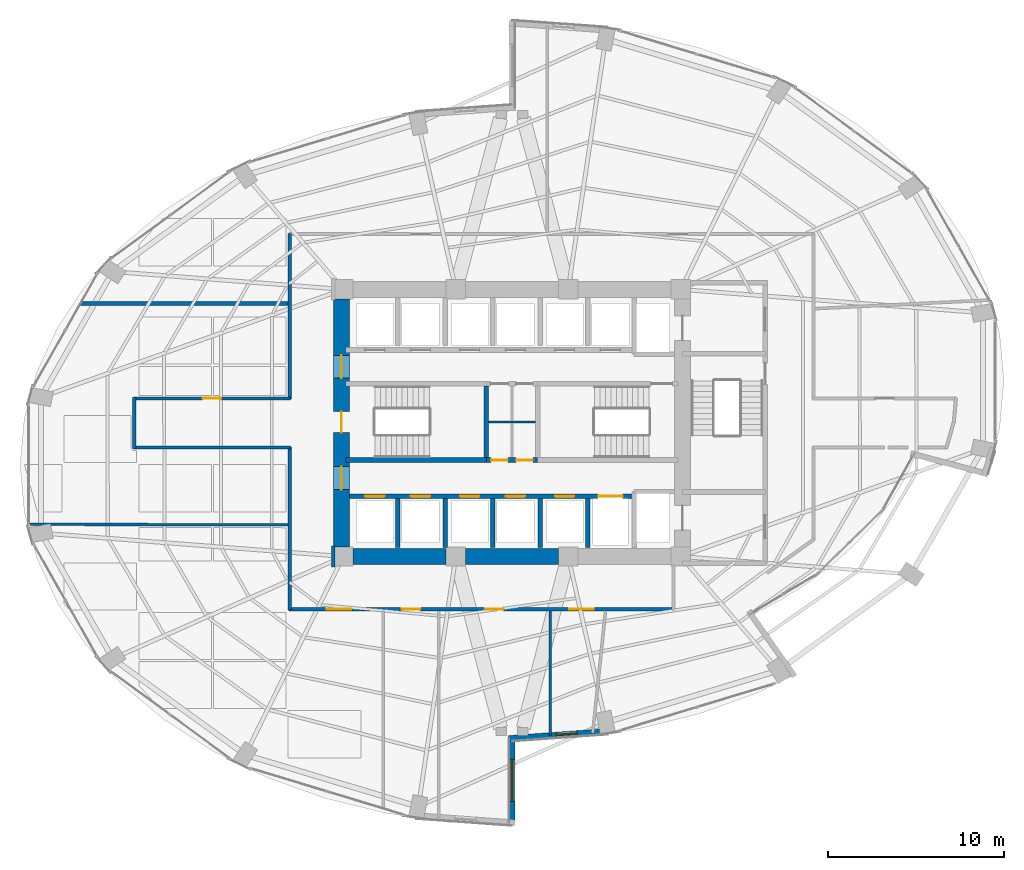
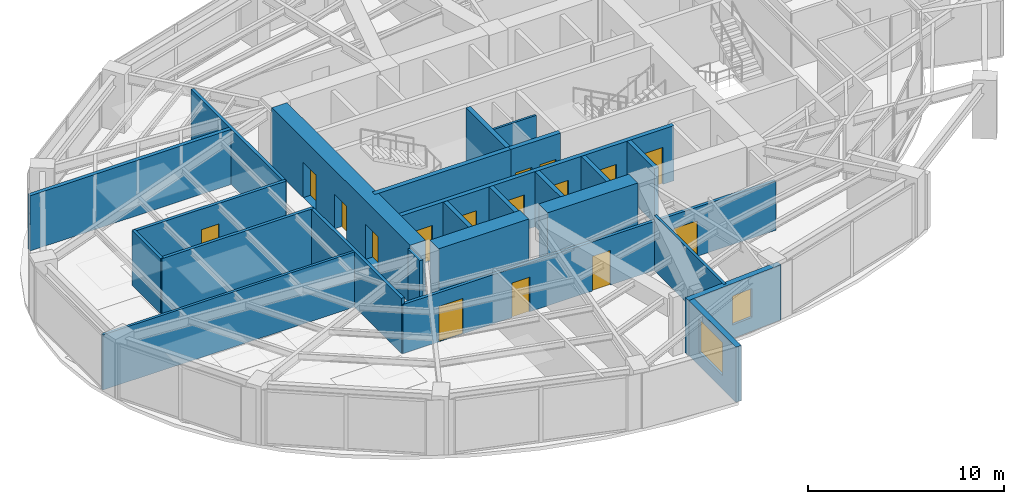
# One storey, part 20 of 24: 25 walls, 16 doors, 2 windows, 18 openings.
"""IFC4 building model written with IfcOpenShell, lengths in metres."""

from ifc_helpers import new_model, si_unit, direction, frame, frame_2d, origin, place, context, subcontext, project, spatial, rectangle, extrude, material, layer, layer_set, type_object, element, fill, save


model = new_model("IFC4")

# Units and contexts
model_context = context("Model", 3, precision=1e-05, world=origin(), true_north=direction((0.0, 1.0)))
body_context = subcontext(model_context, "Body", "Model", "MODEL_VIEW")
ifc_project = project(units=[si_unit("LENGTHUNIT", "METRE"), si_unit("AREAUNIT", "SQUARE_METRE"), si_unit("VOLUMEUNIT", "CUBIC_METRE"), si_unit("PLANEANGLEUNIT", "RADIAN"), si_unit("MASSUNIT", "GRAM", prefix="KILO")], contexts=[model_context])

# Site, building, storey
site_placement = place(None, origin())
site = spatial("IfcSite", under=ifc_project, at=site_placement, CompositionType="ELEMENT")
building_placement = place(site_placement, origin())
building = spatial("IfcBuilding", under=site, at=building_placement, Name="Lazwardi Medical Tower", CompositionType="ELEMENT")
storey_placement = place(building_placement, frame((0.0, 0.0, 65.327880859375)))
storey = spatial("IfcBuildingStorey", under=building, at=storey_placement, Name="L16", CompositionType="ELEMENT", Elevation=65.327880859375)

# Wall
ifc_material_1 = material(Name="Fire-rated gypsum board on steel stud", Category="steel")
ifc_layer_1 = layer(ifc_material_1, 0.179931640625)
ifc_layer_set_1 = layer_set([ifc_layer_1], Name="Fire-rated gypsum board on steel stud")
wall_type_1 = type_object("IfcWallType", Name="WL-COR-180", PredefinedType="PARTITIONING", material=ifc_layer_set_1)
wall_1_placement = place(storey_placement, frame((14.5, 26.56005859375, 0.0), z_axis=(0.0, 0.0, 1.0), x_axis=(0.0, 1.0, 0.0)))
element("IfcWall", 1, at=wall_1_placement, inside=storey, type_object=wall_type_1, Name="L16 Corridor partition 1", PredefinedType="PARTITIONING", context=body_context, shape_type="SweptSolid", body=[
    extrude(rectangle(XDim=2.8798828125, YDim=0.179931640625, at=frame_2d((1.43994140625, 0.0))), origin(), (0.0, 0.0, 1.0), 3.42822265625),
])

# Wall, opening, door
wall_2_placement = place(storey_placement, frame((14.4599609375, 29.39990234375, 0.0), z_axis=(0.0, 0.0, 1.0), x_axis=(1.0, 0.0, 0.0)))
wall_2 = element("IfcWall", 2, at=wall_2_placement, inside=storey, type_object=wall_type_1, Name="L16 Corridor partition 2", PredefinedType="PARTITIONING", context=body_context, shape_type="SweptSolid", body=[
    extrude(rectangle(XDim=8.929931640625, YDim=0.179931640625, at=frame_2d((4.46484375, 0.0))), origin(), (0.0, 0.0, 1.0), 3.42822265625),
])
opening_1_placement = place(wall_2_placement, frame((3.93994140625, 0.0, 0.0)))
opening_1 = element("IfcOpeningElement", 3, at=opening_1_placement, cuts=wall_2, Name="Opening D-L16-016", PredefinedType="OPENING", context=body_context, shape_type="SweptSolid", body=[
    extrude(rectangle(XDim=1.050048828125, YDim=2.14990234375, at=frame_2d((0.52490234375, 1.074951171875))), frame((0.0, 0.099853515625, 0.0), z_axis=(0.0, -1.0, 0.0), x_axis=(1.0, 0.0, 0.0)), (0.0, 0.0, 1.0), 0.199951171875),
])
ifc_material_2 = material(Name="Anti-microbial laminate hospital leaf")
door_type_1 = type_object("IfcDoorType", Name="DR-CLN-1050", OperationType="NOTDEFINED", PredefinedType="DOOR", material=ifc_material_2)
door_1_placement = place(opening_1_placement, origin())
door_1 = element("IfcDoor", 4, at=door_1_placement, inside=storey, type_object=door_type_1, Name="L16 Clinical Specialist Office Door 08", OperationType="SINGLE_SWING_RIGHT", OverallHeight=2.14990234375, OverallWidth=1.050048828125, PredefinedType="DOOR", context=body_context, shape_type="SweptSolid", body=[
    extrude(rectangle(XDim=1.050048828125, YDim=2.14990234375, at=frame_2d((0.52490234375, 1.074951171875))), frame((0.0, 0.02490234375, 0.0), z_axis=(0.0, -1.0, 0.0), x_axis=(1.0, 0.0, 0.0)), (0.0, 0.0, 1.0), 0.050048828125),
])
fill(opening_1, door_1)

# Walls
wall_3_placement = place(storey_placement, frame((23.35009765625, 29.360107421875, 0.0), z_axis=(0.0, 0.0, 1.0), x_axis=(0.0, 1.0, 0.0)))
element("IfcWall", 5, at=wall_3_placement, inside=storey, type_object=wall_type_1, Name="L16 Corridor partition 3", PredefinedType="PARTITIONING", context=body_context, shape_type="SweptSolid", body=[
    extrude(rectangle(XDim=9.429931640625, YDim=0.179931640625, at=frame_2d((4.71484375, 0.0))), origin(), (0.0, 0.0, 1.0), 3.42822265625),
])
wall_4_placement = place(storey_placement, frame((25.830078125, 21.010009765625, 0.0), z_axis=(0.0, 0.0, 1.0), x_axis=(0.0, -1.0, 0.0)))
element("IfcWall", 6, at=wall_4_placement, inside=storey, type_object=wall_type_1, Name="L16 Corridor partition 15", PredefinedType="PARTITIONING", context=body_context, shape_type="SweptSolid", body=[
    extrude(rectangle(XDim=1.219970703125, YDim=0.179931640625, at=frame_2d((0.60986328125, 0.0))), origin(), (0.0, 0.0, 1.0), 3.42822265625),
])

# Wall, openings, doors
wall_5_placement = place(storey_placement, frame((45.239990234375, 17.39990234375, 0.0), z_axis=(0.0, 0.0, 1.0), x_axis=(-1.0, 0.0, 0.0)))
wall_5 = element("IfcWall", 7, at=wall_5_placement, inside=storey, type_object=wall_type_1, Name="L16 Corridor partition 17", PredefinedType="PARTITIONING", context=body_context, shape_type="SweptSolid", body=[
    extrude(rectangle(XDim=21.929931640625, YDim=0.179931640625, at=frame_2d((10.96484375, 0.0))), origin(), (0.0, 0.0, 1.0), 3.05322265625),
])
opening_2_placement = place(wall_5_placement, frame((18.39111328125, 0.0, 0.0)))
opening_2 = element("IfcOpeningElement", 8, at=opening_2_placement, cuts=wall_5, Name="Opening D-L16-009", PredefinedType="OPENING", context=body_context, shape_type="SweptSolid", body=[
    extrude(rectangle(XDim=1.39990234375, YDim=2.199951171875, at=frame_2d((0.699951171875, 1.10009765625))), frame((0.0, 0.099853515625, 0.0), z_axis=(0.0, -1.0, 0.0), x_axis=(1.0, 0.0, 0.0)), (0.0, 0.0, 1.0), 0.199951171875),
])
opening_3_placement = place(wall_5_placement, frame((14.465087890625, 0.0, 0.0)))
opening_3 = element("IfcOpeningElement", 9, at=opening_3_placement, cuts=wall_5, Name="Opening D-L16-010", PredefinedType="OPENING", context=body_context, shape_type="SweptSolid", body=[
    extrude(rectangle(XDim=1.050048828125, YDim=2.14990234375, at=frame_2d((0.52490234375, 1.074951171875))), frame((0.0, 0.099853515625, 0.0), z_axis=(0.0, -1.0, 0.0), x_axis=(1.0, 0.0, 0.0)), (0.0, 0.0, 1.0), 0.199951171875),
])
opening_4_placement = place(wall_5_placement, frame((9.715087890625, 0.0, 0.0)))
opening_4 = element("IfcOpeningElement", 10, at=opening_4_placement, cuts=wall_5, Name="Opening D-L16-011", PredefinedType="OPENING", context=body_context, shape_type="SweptSolid", body=[
    extrude(rectangle(XDim=1.050048828125, YDim=2.14990234375, at=frame_2d((0.52490234375, 1.074951171875))), frame((0.0, 0.099853515625, 0.0), z_axis=(0.0, -1.0, 0.0), x_axis=(1.0, 0.0, 0.0)), (0.0, 0.0, 1.0), 0.199951171875),
])
opening_5_placement = place(wall_5_placement, frame((4.594482421875, 0.0, 0.0)))
opening_5 = element("IfcOpeningElement", 11, at=opening_5_placement, cuts=wall_5, Name="Opening D-L16-012", PredefinedType="OPENING", context=body_context, shape_type="SweptSolid", body=[
    extrude(rectangle(XDim=1.39990234375, YDim=2.199951171875, at=frame_2d((0.699951171875, 1.10009765625))), frame((0.0, 0.099853515625, 0.0), z_axis=(0.0, -1.0, 0.0), x_axis=(1.0, 0.0, 0.0)), (0.0, 0.0, 1.0), 0.199951171875),
])
door_type_2 = type_object("IfcDoorType", Name="DR-BED-1400", OperationType="NOTDEFINED", PredefinedType="DOOR", material=ifc_material_2)
door_2_placement = place(opening_2_placement, origin())
door_2 = element("IfcDoor", 12, at=door_2_placement, inside=storey, type_object=door_type_2, Name="L16 Sky Garden Lounge Door 01", OperationType="SINGLE_SWING_LEFT", OverallHeight=2.199951171875, OverallWidth=1.39990234375, PredefinedType="DOOR", context=body_context, shape_type="SweptSolid", body=[
    extrude(rectangle(XDim=1.39990234375, YDim=2.199951171875, at=frame_2d((0.699951171875, 1.10009765625))), frame((0.0, 0.02490234375, 0.0), z_axis=(0.0, -1.0, 0.0), x_axis=(1.0, 0.0, 0.0)), (0.0, 0.0, 1.0), 0.050048828125),
])
fill(opening_2, door_2)
door_3_placement = place(opening_5_placement, origin())
door_3 = element("IfcDoor", 13, at=door_3_placement, inside=storey, type_object=door_type_2, Name="L16 Department Reception Foyer Door 04", OperationType="SINGLE_SWING_RIGHT", OverallHeight=2.199951171875, OverallWidth=1.39990234375, PredefinedType="DOOR", context=body_context, shape_type="SweptSolid", body=[
    extrude(rectangle(XDim=1.39990234375, YDim=2.199951171875, at=frame_2d((0.699951171875, 1.10009765625))), frame((0.0, 0.02490234375, 0.0), z_axis=(0.0, -1.0, 0.0), x_axis=(1.0, 0.0, 0.0)), (0.0, 0.0, 1.0), 0.050048828125),
])
fill(opening_5, door_3)
door_4_placement = place(opening_3_placement, origin())
door_4 = element("IfcDoor", 14, at=door_4_placement, inside=storey, type_object=door_type_1, Name="L16 Outpatient Consultation Suite Door 02", OperationType="SINGLE_SWING_RIGHT", OverallHeight=2.14990234375, OverallWidth=1.050048828125, PredefinedType="DOOR", context=body_context, shape_type="SweptSolid", body=[
    extrude(rectangle(XDim=1.050048828125, YDim=2.14990234375, at=frame_2d((0.52490234375, 1.074951171875))), frame((0.0, 0.02490234375, 0.0), z_axis=(0.0, -1.0, 0.0), x_axis=(1.0, 0.0, 0.0)), (0.0, 0.0, 1.0), 0.050048828125),
])
fill(opening_3, door_4)
door_5_placement = place(opening_4_placement, origin())
door_5 = element("IfcDoor", 15, at=door_5_placement, inside=storey, type_object=door_type_1, Name="L16 Medical Duty Staff Room Door 03", OperationType="SINGLE_SWING_LEFT", OverallHeight=2.14990234375, OverallWidth=1.050048828125, PredefinedType="DOOR", context=body_context, shape_type="SweptSolid", body=[
    extrude(rectangle(XDim=1.050048828125, YDim=2.14990234375, at=frame_2d((0.52490234375, 1.074951171875))), frame((0.0, 0.02490234375, 0.0), z_axis=(0.0, -1.0, 0.0), x_axis=(1.0, 0.0, 0.0)), (0.0, 0.0, 1.0), 0.050048828125),
])
fill(opening_4, door_5)

# Walls
wall_6_placement = place(storey_placement, frame((23.35009765625, 17.360107421875, 0.0), z_axis=(0.0, 0.0, 1.0), x_axis=(0.0, 1.0, 0.0)))
element("IfcWall", 16, at=wall_6_placement, inside=storey, type_object=wall_type_1, Name="L16 Corridor partition 18", PredefinedType="PARTITIONING", context=body_context, shape_type="SweptSolid", body=[
    extrude(rectangle(XDim=9.27978515625, YDim=0.179931640625, at=frame_2d((4.639892578125, 0.0))), origin(), (0.0, 0.0, 1.0), 3.42822265625),
])
wall_7_placement = place(storey_placement, frame((23.389892578125, 26.60009765625, 0.0), z_axis=(0.0, 0.0, 1.0), x_axis=(-1.0, 0.0, 0.0)))
element("IfcWall", 17, at=wall_7_placement, inside=storey, type_object=wall_type_1, Name="L16 Corridor partition 19", PredefinedType="PARTITIONING", context=body_context, shape_type="SweptSolid", body=[
    extrude(rectangle(XDim=8.929931640625, YDim=0.179931640625, at=frame_2d((4.46484375, 0.0))), origin(), (0.0, 0.0, 1.0), 3.42822265625),
])

# Wall, openings, doors
ifc_material_3 = material(Name="Concrete C80/95", Category="concrete")
ifc_layer_2 = layer(ifc_material_3, 0.89990234375)
ifc_layer_set_2 = layer_set([ifc_layer_2], Name="Concrete C80/95")
wall_type_2 = type_object("IfcWallType", Name="WL-CORE-900", PredefinedType="SHEAR", material=ifc_layer_set_2)
wall_8_placement = place(storey_placement, frame((26.300048828125, 20.949951171875, 0.0), z_axis=(0.0, 0.0, 1.0), x_axis=(0.0, 1.0, 0.0)))
wall_8 = element("IfcWall", 18, at=wall_8_placement, inside=storey, type_object=wall_type_2, Name="Core wall CW-S1 west L16", PredefinedType="SHEAR", context=body_context, shape_type="SweptSolid", body=[
    extrude(rectangle(XDim=14.10009765625, YDim=0.89990234375, at=frame_2d((7.050048828125, 0.0))), origin(), (0.0, 0.0, 1.0), 3.648193359375),
])
opening_6_placement = place(wall_8_placement, frame((6.5, 0.0, 0.0)))
opening_6 = element("IfcOpeningElement", 19, at=opening_6_placement, cuts=wall_8, Name="Opening D-L16-017", PredefinedType="OPENING", context=body_context, shape_type="SweptSolid", body=[
    extrude(rectangle(XDim=1.199951171875, YDim=2.14990234375, at=frame_2d((0.60009765625, 1.074951171875))), frame((0.0, 0.4599609375, 0.0), z_axis=(0.0, -1.0, 0.0), x_axis=(1.0, 0.0, 0.0)), (0.0, 0.0, 1.0), 0.919921875),
])
opening_7_placement = place(wall_8_placement, frame((9.60009765625, 0.0, 0.0)))
opening_7 = element("IfcOpeningElement", 20, at=opening_7_placement, cuts=wall_8, Name="Opening D-L16-007", PredefinedType="OPENING", context=body_context, shape_type="SweptSolid", body=[
    extrude(rectangle(XDim=1.300048828125, YDim=2.199951171875, at=frame_2d((0.64990234375, 1.10009765625))), frame((0.0, 0.4599609375, 0.0), z_axis=(0.0, -1.0, 0.0), x_axis=(1.0, 0.0, 0.0)), (0.0, 0.0, 1.0), 0.919921875),
])
opening_8_placement = place(wall_8_placement, frame((3.260009765625, 0.0, 0.0)))
opening_8 = element("IfcOpeningElement", 21, at=opening_8_placement, cuts=wall_8, Name="Opening D-L16-008", PredefinedType="OPENING", context=body_context, shape_type="SweptSolid", body=[
    extrude(rectangle(XDim=1.300048828125, YDim=2.199951171875, at=frame_2d((0.64990234375, 1.10009765625))), frame((0.0, 0.4599609375, 0.0), z_axis=(0.0, -1.0, 0.0), x_axis=(1.0, 0.0, 0.0)), (0.0, 0.0, 1.0), 0.919921875),
])
ifc_material_4 = material(Name="Fire-rated steel leaf and frame", Category="steel")
door_type_3 = type_object("IfcDoorType", Name="DR-FFL-1300", OperationType="NOTDEFINED", PredefinedType="DOOR", material=ifc_material_4)
door_6_placement = place(opening_7_placement, origin())
door_6 = element("IfcDoor", 22, at=door_6_placement, inside=storey, type_object=door_type_3, Name="L16 North Lift Lobby Door", OperationType="SINGLE_SWING_RIGHT", OverallHeight=2.199951171875, OverallWidth=1.300048828125, PredefinedType="DOOR", context=body_context, shape_type="SweptSolid", body=[
    extrude(rectangle(XDim=1.300048828125, YDim=2.199951171875, at=frame_2d((0.64990234375, 1.10009765625))), frame((0.0, 0.02490234375, 0.0), z_axis=(0.0, -1.0, 0.0), x_axis=(1.0, 0.0, 0.0)), (0.0, 0.0, 1.0), 0.050048828125),
])
fill(opening_7, door_6)
door_7_placement = place(opening_8_placement, origin())
door_7 = element("IfcDoor", 23, at=door_7_placement, inside=storey, type_object=door_type_3, Name="L16 South Lift Lobby Door", OperationType="SINGLE_SWING_LEFT", OverallHeight=2.199951171875, OverallWidth=1.300048828125, PredefinedType="DOOR", context=body_context, shape_type="SweptSolid", body=[
    extrude(rectangle(XDim=1.300048828125, YDim=2.199951171875, at=frame_2d((0.64990234375, 1.10009765625))), frame((0.0, 0.02490234375, 0.0), z_axis=(0.0, -1.0, 0.0), x_axis=(1.0, 0.0, 0.0)), (0.0, 0.0, 1.0), 0.050048828125),
])
fill(opening_8, door_7)
door_type_4 = type_object("IfcDoorType", Name="DR-STR-1200", OperationType="NOTDEFINED", PredefinedType="DOOR", material=ifc_material_4)
door_8_placement = place(opening_6_placement, origin())
door_8 = element("IfcDoor", 24, at=door_8_placement, inside=storey, type_object=door_type_4, Name="L16 Exit Stair ST1 Door", OperationType="SINGLE_SWING_RIGHT", OverallHeight=2.14990234375, OverallWidth=1.199951171875, PredefinedType="DOOR", context=body_context, shape_type="SweptSolid", body=[
    extrude(rectangle(XDim=1.199951171875, YDim=2.14990234375, at=frame_2d((0.60009765625, 1.074951171875))), frame((0.0, 0.02490234375, 0.0), z_axis=(0.0, -1.0, 0.0), x_axis=(1.0, 0.0, 0.0)), (0.0, 0.0, 1.0), 0.050048828125),
])
fill(opening_6, door_8)

# Walls
wall_9_placement = place(storey_placement, frame((26.949951171875, 20.39990234375, 0.0), z_axis=(0.0, 0.0, 1.0), x_axis=(1.0, 0.0, 0.0)))
element("IfcWall", 25, at=wall_9_placement, inside=storey, type_object=wall_type_2, Name="Core wall CW-S1 S1 L16", PredefinedType="SHEAR", context=body_context, shape_type="SweptSolid", body=[
    extrude(rectangle(XDim=5.300048828125, YDim=0.89990234375, at=frame_2d((2.64990234375, 0.0))), origin(), (0.0, 0.0, 1.0), 3.648193359375),
])
wall_10_placement = place(storey_placement, frame((33.35009765625, 20.39990234375, 0.0), z_axis=(0.0, 0.0, 1.0), x_axis=(1.0, 0.0, 0.0)))
element("IfcWall", 26, at=wall_10_placement, inside=storey, type_object=wall_type_2, Name="Core wall CW-S1 S2 L16", PredefinedType="SHEAR", context=body_context, shape_type="SweptSolid", body=[
    extrude(rectangle(XDim=5.2998046875, YDim=0.89990234375, at=frame_2d((2.64990234375, 0.0))), origin(), (0.0, 0.0, 1.0), 3.648193359375),
])
ifc_material_5 = material(Name="Moisture-resistant gypsum board partition")
ifc_layer_3 = layer(ifc_material_5, 0.125)
ifc_layer_set_3 = layer_set([ifc_layer_3], Name="Moisture-resistant gypsum board partition")
wall_type_3 = type_object("IfcWallType", Name="WL-ENS-125", PredefinedType="PARTITIONING", material=ifc_layer_set_3)
wall_11_placement = place(storey_placement, frame((34.64990234375, 28.06005859375, 0.0), z_axis=(0.0, 0.0, 1.0), x_axis=(1.0, 0.0, 0.0)))
element("IfcWall", 27, at=wall_11_placement, inside=storey, type_object=wall_type_3, Name="L16 Core 4-way H divider", PredefinedType="PARTITIONING", context=body_context, shape_type="SweptSolid", body=[
    extrude(rectangle(XDim=2.7001953125, YDim=0.125, at=frame_2d((1.35009765625, 0.0))), origin(), (0.0, 0.0, 1.0), 3.42822265625),
])

# Wall, opening, window
ifc_material_6 = material(Name="Precast concrete C45/55", Category="concrete")
ifc_layer_4 = layer(ifc_material_6, 0.320068359375)
ifc_layer_set_4 = layer_set([ifc_layer_4], Name="Precast concrete C45/55")
wall_type_4 = type_object("IfcWallType", Name="WL-IWAN-320", PredefinedType="SOLIDWALL", material=ifc_layer_set_4)
wall_12_placement = place(storey_placement, frame((35.820556640625, 10.047119140625, 0.0), z_axis=(0.0, 0.0, 1.0), x_axis=(0.997422321809, 0.071754525696, 0.0)))
wall_12 = element("IfcWall", 28, at=wall_12_placement, inside=storey, type_object=wall_type_4, Name="L16 Iwan Portal Return Wall SE_ret", PredefinedType="SOLIDWALL", context=body_context, shape_type="SweptSolid", body=[
    extrude(rectangle(XDim=5.67529296875, YDim=0.320068359375, at=frame_2d((2.837646484375, 0.0))), origin(), (0.0, 0.0, 1.0), 3.42822265625),
])
opening_9_placement = place(wall_12_placement, frame((2.69677734375, 0.0, 0.85009765625)))
opening_9 = element("IfcOpeningElement", 29, at=opening_9_placement, cuts=wall_12, Name="Opening WN-04", PredefinedType="OPENING", context=body_context, shape_type="SweptSolid", body=[
    extrude(rectangle(XDim=1.199951171875, YDim=1.800048828125, at=frame_2d((0.60009765625, 0.89990234375))), frame((0.0, 0.169921875, 0.0), z_axis=(0.0, -1.0, 0.0), x_axis=(1.0, 0.0, 0.0)), (0.0, 0.0, 1.0), 0.340087890625),
])
ifc_material_7 = material(Name="Low-e bronze solar control double glazing", Category="glass")
window_type_1 = type_object("IfcWindowType", Name="WIN-DRUM-1200", PartitioningType="SINGLE_PANEL", PredefinedType="WINDOW", material=ifc_material_7)
window_1_placement = place(opening_9_placement, origin())
window_1 = element("IfcWindow", 30, at=window_1_placement, inside=storey, type_object=window_type_1, Name="L16 Iwan Slot Window SE_ret", OverallHeight=1.800048828125, OverallWidth=1.199951171875, PartitioningType="SINGLE_PANEL", PredefinedType="WINDOW", context=body_context, shape_type="SweptSolid", body=[
    extrude(rectangle(XDim=1.199951171875, YDim=1.800048828125, at=frame_2d((0.60009765625, 0.89990234375))), frame((0.0, 0.030029296875, 0.0), z_axis=(0.0, -1.0, 0.0), x_axis=(1.0, 0.0, 0.0)), (0.0, 0.0, 1.0), 0.06005859375),
])
fill(opening_9, window_1)

wall_13_placement = place(storey_placement, frame((36.0, 5.10009765625, 0.0), z_axis=(0.0, 0.0, 1.0), x_axis=(0.0, 1.0, 0.0)))
wall_13 = element("IfcWall", 31, at=wall_13_placement, inside=storey, type_object=wall_type_4, Name="L16 Turquoise Tilework Iwan Seam Wall S_seam", PredefinedType="SOLIDWALL", context=body_context, shape_type="SweptSolid", body=[
    extrude(rectangle(XDim=5.119873046875, YDim=0.320068359375, at=frame_2d((2.56005859375, 0.0))), origin(), (0.0, 0.0, 1.0), 3.42822265625),
])
opening_10_placement = place(wall_13_placement, frame((1.360107421875, 0.0, 0.840087890625)))
opening_10 = element("IfcOpeningElement", 32, at=opening_10_placement, cuts=wall_13, Name="Opening WN-02", PredefinedType="OPENING", context=body_context, shape_type="SweptSolid", body=[
    extrude(rectangle(XDim=2.39990234375, YDim=2.0400390625, at=frame_2d((1.199951171875, 1.02001953125))), frame((0.0, 0.169921875, 0.0), z_axis=(0.0, -1.0, 0.0), x_axis=(1.0, 0.0, 0.0)), (0.0, 0.0, 1.0), 0.340087890625),
])
window_type_2 = type_object("IfcWindowType", Name="WIN-IW-2400", PartitioningType="SINGLE_PANEL", PredefinedType="WINDOW", material=ifc_material_7)
window_2_placement = place(opening_10_placement, origin())
window_2 = element("IfcWindow", 33, at=window_2_placement, inside=storey, type_object=window_type_2, Name="L16 Iwan Seam Window S_seam", OverallHeight=2.0400390625, OverallWidth=2.39990234375, PartitioningType="SINGLE_PANEL", PredefinedType="WINDOW", context=body_context, shape_type="SweptSolid", body=[
    extrude(rectangle(XDim=2.39990234375, YDim=2.0400390625, at=frame_2d((1.199951171875, 1.02001953125))), frame((0.0, 0.030029296875, 0.0), z_axis=(0.0, -1.0, 0.0), x_axis=(1.0, 0.0, 0.0)), (0.0, 0.0, 1.0), 0.06005859375),
])
fill(opening_10, window_2)

# Wall, openings, doors
ifc_material_8 = material(Name="Autoclaved aerated concrete blockwork", Category="masonry")
ifc_layer_5 = layer(ifc_material_8, 0.25)
ifc_layer_set_5 = layer_set([ifc_layer_5], Name="Autoclaved aerated concrete blockwork")
wall_type_5 = type_object("IfcWallType", Name="WL-SHAFT-250", PredefinedType="SOLIDWALL", material=ifc_layer_set_5)
wall_14_placement = place(storey_placement, frame((26.75, 23.830078125, 0.0), z_axis=(0.0, 0.0, 1.0), x_axis=(1.0, 0.0, 0.0)))
wall_14 = element("IfcWall", 34, at=wall_14_placement, inside=storey, type_object=wall_type_5, Name="L16 South lift bank front wall", PredefinedType="SOLIDWALL", context=body_context, shape_type="SweptSolid", body=[
    extrude(rectangle(XDim=16.199951171875, YDim=0.25, at=frame_2d((8.10009765625, 0.0))), origin(), (0.0, 0.0, 1.0), 3.42822265625),
])
opening_11_placement = place(wall_14_placement, frame((0.89990234375, 0.0, 0.0)))
opening_11 = element("IfcOpeningElement", 35, at=opening_11_placement, cuts=wall_14, Name="Opening LD-L16-006", PredefinedType="OPENING", context=body_context, shape_type="SweptSolid", body=[
    extrude(rectangle(XDim=1.10009765625, YDim=2.199951171875, at=frame_2d((0.550048828125, 1.10009765625))), frame((0.0, 0.135009765625, 0.0), z_axis=(0.0, -1.0, 0.0), x_axis=(1.0, 0.0, 0.0)), (0.0, 0.0, 1.0), 0.27001953125),
])
opening_12_placement = place(wall_14_placement, frame((3.5, 0.0, 0.0)))
opening_12 = element("IfcOpeningElement", 36, at=opening_12_placement, cuts=wall_14, Name="Opening LD-L16-007", PredefinedType="OPENING", context=body_context, shape_type="SweptSolid", body=[
    extrude(rectangle(XDim=1.10009765625, YDim=2.199951171875, at=frame_2d((0.550048828125, 1.10009765625))), frame((0.0, 0.135009765625, 0.0), z_axis=(0.0, -1.0, 0.0), x_axis=(1.0, 0.0, 0.0)), (0.0, 0.0, 1.0), 0.27001953125),
])
opening_13_placement = place(wall_14_placement, frame((6.300048828125, 0.0, 0.0)))
opening_13 = element("IfcOpeningElement", 37, at=opening_13_placement, cuts=wall_14, Name="Opening LD-L16-010", PredefinedType="OPENING", context=body_context, shape_type="SweptSolid", body=[
    extrude(rectangle(XDim=1.10009765625, YDim=2.199951171875, at=frame_2d((0.550048828125, 1.10009765625))), frame((0.0, 0.135009765625, 0.0), z_axis=(0.0, -1.0, 0.0), x_axis=(1.0, 0.0, 0.0)), (0.0, 0.0, 1.0), 0.27001953125),
])
opening_14_placement = place(wall_14_placement, frame((8.89990234375, 0.0, 0.0)))
opening_14 = element("IfcOpeningElement", 38, at=opening_14_placement, cuts=wall_14, Name="Opening LD-L16-011", PredefinedType="OPENING", context=body_context, shape_type="SweptSolid", body=[
    extrude(rectangle(XDim=1.10009765625, YDim=2.199951171875, at=frame_2d((0.550048828125, 1.10009765625))), frame((0.0, 0.135009765625, 0.0), z_axis=(0.0, -1.0, 0.0), x_axis=(1.0, 0.0, 0.0)), (0.0, 0.0, 1.0), 0.27001953125),
])
opening_15_placement = place(wall_14_placement, frame((11.699951171875, 0.0, 0.0)))
opening_15 = element("IfcOpeningElement", 39, at=opening_15_placement, cuts=wall_14, Name="Opening LD-L16-014", PredefinedType="OPENING", context=body_context, shape_type="SweptSolid", body=[
    extrude(rectangle(XDim=1.10009765625, YDim=2.199951171875, at=frame_2d((0.550048828125, 1.10009765625))), frame((0.0, 0.135009765625, 0.0), z_axis=(0.0, -1.0, 0.0), x_axis=(1.0, 0.0, 0.0)), (0.0, 0.0, 1.0), 0.27001953125),
])
opening_16_placement = place(wall_14_placement, frame((14.14990234375, 0.0, 0.0)))
opening_16 = element("IfcOpeningElement", 40, at=opening_16_placement, cuts=wall_14, Name="Opening LD-L16-003", PredefinedType="OPENING", context=body_context, shape_type="SweptSolid", body=[
    extrude(rectangle(XDim=1.39990234375, YDim=2.300048828125, at=frame_2d((0.699951171875, 1.14990234375))), frame((0.0, 0.135009765625, 0.0), z_axis=(0.0, -1.0, 0.0), x_axis=(1.0, 0.0, 0.0)), (0.0, 0.0, 1.0), 0.27001953125),
])
ifc_material_9 = material(Name="Brushed bronze stainless steel landing door", Category="steel")
door_type_5 = type_object("IfcDoorType", Name="DR-LFT-1100", OperationType="NOTDEFINED", PredefinedType="DOOR", material=ifc_material_9)
door_9_placement = place(opening_11_placement, origin())
door_9 = element("IfcDoor", 41, at=door_9_placement, inside=storey, type_object=door_type_5, Name="L16 Lift Landing Door PL-03", OperationType="SLIDING_TO_LEFT", OverallHeight=2.199951171875, OverallWidth=1.10009765625, PredefinedType="DOOR", context=body_context, shape_type="SweptSolid", body=[
    extrude(rectangle(XDim=1.10009765625, YDim=2.199951171875, at=frame_2d((0.550048828125, 1.10009765625))), frame((0.0, 0.02490234375, 0.0), z_axis=(0.0, -1.0, 0.0), x_axis=(1.0, 0.0, 0.0)), (0.0, 0.0, 1.0), 0.050048828125),
])
fill(opening_11, door_9)
door_10_placement = place(opening_12_placement, origin())
door_10 = element("IfcDoor", 42, at=door_10_placement, inside=storey, type_object=door_type_5, Name="L16 Lift Landing Door PL-04", OperationType="SLIDING_TO_LEFT", OverallHeight=2.199951171875, OverallWidth=1.10009765625, PredefinedType="DOOR", context=body_context, shape_type="SweptSolid", body=[
    extrude(rectangle(XDim=1.10009765625, YDim=2.199951171875, at=frame_2d((0.550048828125, 1.10009765625))), frame((0.0, 0.02490234375, 0.0), z_axis=(0.0, -1.0, 0.0), x_axis=(1.0, 0.0, 0.0)), (0.0, 0.0, 1.0), 0.050048828125),
])
fill(opening_12, door_10)
door_11_placement = place(opening_13_placement, origin())
door_11 = element("IfcDoor", 43, at=door_11_placement, inside=storey, type_object=door_type_5, Name="L16 Lift Landing Door PL-07", OperationType="SLIDING_TO_LEFT", OverallHeight=2.199951171875, OverallWidth=1.10009765625, PredefinedType="DOOR", context=body_context, shape_type="SweptSolid", body=[
    extrude(rectangle(XDim=1.10009765625, YDim=2.199951171875, at=frame_2d((0.550048828125, 1.10009765625))), frame((0.0, 0.02490234375, 0.0), z_axis=(0.0, -1.0, 0.0), x_axis=(1.0, 0.0, 0.0)), (0.0, 0.0, 1.0), 0.050048828125),
])
fill(opening_13, door_11)
door_12_placement = place(opening_14_placement, origin())
door_12 = element("IfcDoor", 44, at=door_12_placement, inside=storey, type_object=door_type_5, Name="L16 Lift Landing Door PL-08", OperationType="SLIDING_TO_LEFT", OverallHeight=2.199951171875, OverallWidth=1.10009765625, PredefinedType="DOOR", context=body_context, shape_type="SweptSolid", body=[
    extrude(rectangle(XDim=1.10009765625, YDim=2.199951171875, at=frame_2d((0.550048828125, 1.10009765625))), frame((0.0, 0.02490234375, 0.0), z_axis=(0.0, -1.0, 0.0), x_axis=(1.0, 0.0, 0.0)), (0.0, 0.0, 1.0), 0.050048828125),
])
fill(opening_14, door_12)
door_13_placement = place(opening_15_placement, origin())
door_13 = element("IfcDoor", 45, at=door_13_placement, inside=storey, type_object=door_type_5, Name="L16 Lift Landing Door PL-11", OperationType="SLIDING_TO_LEFT", OverallHeight=2.199951171875, OverallWidth=1.10009765625, PredefinedType="DOOR", context=body_context, shape_type="SweptSolid", body=[
    extrude(rectangle(XDim=1.10009765625, YDim=2.199951171875, at=frame_2d((0.550048828125, 1.10009765625))), frame((0.0, 0.02490234375, 0.0), z_axis=(0.0, -1.0, 0.0), x_axis=(1.0, 0.0, 0.0)), (0.0, 0.0, 1.0), 0.050048828125),
])
fill(opening_15, door_13)
ifc_material_10 = material(Name="Brushed stainless steel bed-lift landing door", Category="steel")
door_type_6 = type_object("IfcDoorType", Name="DR-LFT-1400", OperationType="NOTDEFINED", PredefinedType="DOOR", material=ifc_material_10)
door_14_placement = place(opening_16_placement, origin())
door_14 = element("IfcDoor", 46, at=door_14_placement, inside=storey, type_object=door_type_6, Name="L16 Lift Landing Door FL-03", OperationType="SLIDING_TO_LEFT", OverallHeight=2.300048828125, OverallWidth=1.39990234375, PredefinedType="DOOR", context=body_context, shape_type="SweptSolid", body=[
    extrude(rectangle(XDim=1.39990234375, YDim=2.300048828125, at=frame_2d((0.699951171875, 1.14990234375))), frame((0.0, 0.02490234375, 0.0), z_axis=(0.0, -1.0, 0.0), x_axis=(1.0, 0.0, 0.0)), (0.0, 0.0, 1.0), 0.050048828125),
])
fill(opening_16, door_14)

# Walls
for number, where, z_axis, x_axis, name in (
    (47, (29.5, 20.89990234375, 0.0), (0.0, 0.0, 1.0), (0.0, 1.0, 0.0), "L16 South hoistway divider"),
    (48, (32.199951171875, 20.89990234375, 0.0), (0.0, 0.0, 1.0), (0.0, 1.0, 0.0), "L16 South hoistway divider"),
    (49, (34.89990234375, 20.89990234375, 0.0), (0.0, 0.0, 1.0), (0.0, 1.0, 0.0), "L16 South hoistway divider"),
    (50, (37.60009765625, 20.89990234375, 0.0), (0.0, 0.0, 1.0), (0.0, 1.0, 0.0), "L16 South hoistway divider"),
    (51, (40.300048828125, 20.89990234375, 0.0), (0.0, 0.0, 1.0), (0.0, 1.0, 0.0), "L16 South hoistway divider"),
):
    element("IfcWall", number, at=place(storey_placement, frame(where, z_axis=z_axis, x_axis=x_axis)), inside=storey, type_object=wall_type_5, Name=name, PredefinedType="SOLIDWALL", context=body_context, shape_type="SweptSolid", body=[
        extrude(rectangle(XDim=2.800048828125, YDim=0.25, at=frame_2d((1.39990234375, 0.0))), origin(), (0.0, 0.0, 1.0), 3.42822265625),
    ])
ifc_layer_6 = layer(ifc_material_1, 0.219970703125)
ifc_layer_set_6 = layer_set([ifc_layer_6], Name="Fire-rated gypsum board on steel stud")
wall_type_6 = type_object("IfcWallType", Name="WL-SMK-220", PredefinedType="PARTITIONING", material=ifc_layer_set_6)
wall_15_placement = place(storey_placement, frame((11.45068359375, 34.800048828125, 0.0), z_axis=(0.0, 0.0, 1.0), x_axis=(1.0, 0.0, 0.0)))
element("IfcWall", 52, at=wall_15_placement, inside=storey, type_object=wall_type_6, Name="L16 Room partition 2", PredefinedType="PARTITIONING", context=body_context, shape_type="SweptSolid", body=[
    extrude(rectangle(XDim=11.809326171875, YDim=0.219970703125, at=frame_2d((5.90478515625, 0.0))), origin(), (0.0, 0.0, 1.0), 3.42822265625),
])
ifc_material_11 = material(Name="Concrete C50/60", Category="concrete")
ifc_layer_7 = layer(ifc_material_11, 0.27001953125)
ifc_layer_set_7 = layer_set([ifc_layer_7], Name="Concrete C50/60")
wall_type_7 = type_object("IfcWallType", Name="WL-STR-250", PredefinedType="SHEAR", material=ifc_layer_set_7)
wall_16_placement = place(storey_placement, frame((26.550048828125, 25.885009765625, 0.0), z_axis=(0.0, 0.0, 1.0), x_axis=(1.0, 0.0, 0.0)))
element("IfcWall", 53, at=wall_16_placement, inside=storey, type_object=wall_type_7, Name="L16 ST1 South shear shaft wall SW-S1", PredefinedType="SHEAR", context=body_context, shape_type="SweptSolid", body=[
    extrude(rectangle(XDim=7.98486328125, YDim=0.27001953125, at=frame_2d((3.992431640625, 0.0))), origin(), (0.0, 0.0, 1.0), 3.648193359375),
])

# Wall, openings, doors
wall_17_placement = place(storey_placement, frame((34.534912109375, 25.885009765625, 0.0), z_axis=(0.0, 0.0, 1.0), x_axis=(1.0, 0.0, 0.0)))
wall_17 = element("IfcWall", 54, at=wall_17_placement, inside=storey, type_object=wall_type_7, Name="L16 Core service South shear wall SW-S1", PredefinedType="SHEAR", context=body_context, shape_type="SweptSolid", body=[
    extrude(rectangle(XDim=2.93017578125, YDim=0.27001953125, at=frame_2d((1.465087890625, 0.0))), origin(), (0.0, 0.0, 1.0), 3.648193359375),
])
opening_17_placement = place(wall_17_placement, frame((0.280029296875, 0.0, 0.0)))
opening_17 = element("IfcOpeningElement", 55, at=opening_17_placement, cuts=wall_17, Name="Opening D-L16-001", PredefinedType="OPENING", context=body_context, shape_type="SweptSolid", body=[
    extrude(rectangle(XDim=0.949951171875, YDim=2.10009765625, at=frame_2d((0.47509765625, 1.050048828125))), frame((0.0, 0.14501953125, 0.0), z_axis=(0.0, -1.0, 0.0), x_axis=(1.0, 0.0, 0.0)), (0.0, 0.0, 1.0), 0.2900390625),
])
opening_18_placement = place(wall_17_placement, frame((1.699951171875, 0.0, 0.0)))
opening_18 = element("IfcOpeningElement", 56, at=opening_18_placement, cuts=wall_17, Name="Opening D-L16-002", PredefinedType="OPENING", context=body_context, shape_type="SweptSolid", body=[
    extrude(rectangle(XDim=0.949951171875, YDim=2.10009765625, at=frame_2d((0.47509765625, 1.050048828125))), frame((0.0, 0.14501953125, 0.0), z_axis=(0.0, -1.0, 0.0), x_axis=(1.0, 0.0, 0.0)), (0.0, 0.0, 1.0), 0.2900390625),
])
ifc_material_12 = material(Name="Moisture-resistant laminate door leaf")
door_type_7 = type_object("IfcDoorType", Name="DR-ENS-950", OperationType="NOTDEFINED", PredefinedType="DOOR", material=ifc_material_12)
door_15_placement = place(opening_17_placement, origin())
door_15 = element("IfcDoor", 57, at=door_15_placement, inside=storey, type_object=door_type_7, Name="L16 Staff WC Door", OperationType="SINGLE_SWING_RIGHT", OverallHeight=2.10009765625, OverallWidth=0.949951171875, PredefinedType="DOOR", context=body_context, shape_type="SweptSolid", body=[
    extrude(rectangle(XDim=0.949951171875, YDim=2.10009765625, at=frame_2d((0.47509765625, 1.050048828125))), frame((0.0, 0.02490234375, 0.0), z_axis=(0.0, -1.0, 0.0), x_axis=(1.0, 0.0, 0.0)), (0.0, 0.0, 1.0), 0.050048828125),
])
fill(opening_17, door_15)
door_16_placement = place(opening_18_placement, origin())
door_16 = element("IfcDoor", 58, at=door_16_placement, inside=storey, type_object=door_type_7, Name="L16 Comms Room Door", OperationType="SINGLE_SWING_LEFT", OverallHeight=2.10009765625, OverallWidth=0.949951171875, PredefinedType="DOOR", context=body_context, shape_type="SweptSolid", body=[
    extrude(rectangle(XDim=0.949951171875, YDim=2.10009765625, at=frame_2d((0.47509765625, 1.050048828125))), frame((0.0, 0.02490234375, 0.0), z_axis=(0.0, -1.0, 0.0), x_axis=(1.0, 0.0, 0.0)), (0.0, 0.0, 1.0), 0.050048828125),
])
fill(opening_18, door_16)

# Walls
wall_18_placement = place(storey_placement, frame((34.534912109375, 26.02001953125, 0.0), z_axis=(0.0, 0.0, 1.0), x_axis=(0.0, 1.0, 0.0)))
element("IfcWall", 59, at=wall_18_placement, inside=storey, type_object=wall_type_7, Name="L16 ST1 East shear shaft wall SW-S1", PredefinedType="SHEAR", context=body_context, shape_type="SweptSolid", body=[
    extrude(rectangle(XDim=4.080078125, YDim=0.27001953125, at=frame_2d((2.0400390625, 0.0))), origin(), (0.0, 0.0, 1.0), 3.648193359375),
])
ifc_material_13 = material(Name="Acoustic gypsum board partition")
ifc_layer_8 = layer(ifc_material_13, 0.14990234375)
ifc_layer_set_8 = layer_set([ifc_layer_8], Name="Acoustic gypsum board partition")
wall_type_8 = type_object("IfcWallType", Name="WL-WRD-150", PredefinedType="PARTITIONING", material=ifc_layer_set_8)
wall_19_placement = place(storey_placement, frame((8.492919921875, 22.2314453125, 0.0), z_axis=(0.0, 0.0, 1.0), x_axis=(0.999997760873, -0.002116187438, 0.0)))
element("IfcWall", 60, at=wall_19_placement, inside=storey, type_object=wall_type_8, Name="L16 Room partition 1", PredefinedType="PARTITIONING", context=body_context, shape_type="SweptSolid", body=[
    extrude(rectangle(XDim=14.76708984375, YDim=0.14990234375, at=frame_2d((7.383544921875, 0.0))), origin(), (0.0, 0.0, 1.0), 3.42822265625),
])
wall_20_placement = place(storey_placement, frame((38.169921875, 10.226806640625, 0.0), z_axis=(0.0, 0.0, 1.0), x_axis=(0.0, 1.0, 0.0)))
element("IfcWall", 61, at=wall_20_placement, inside=storey, type_object=wall_type_8, Name="L16 Room partition 7", PredefinedType="PARTITIONING", context=body_context, shape_type="SweptSolid", body=[
    extrude(rectangle(XDim=7.083251953125, YDim=0.14990234375, at=frame_2d((3.54150390625, 0.0))), origin(), (0.0, 0.0, 1.0), 3.42822265625),
])

save(model, "model.ifc")
